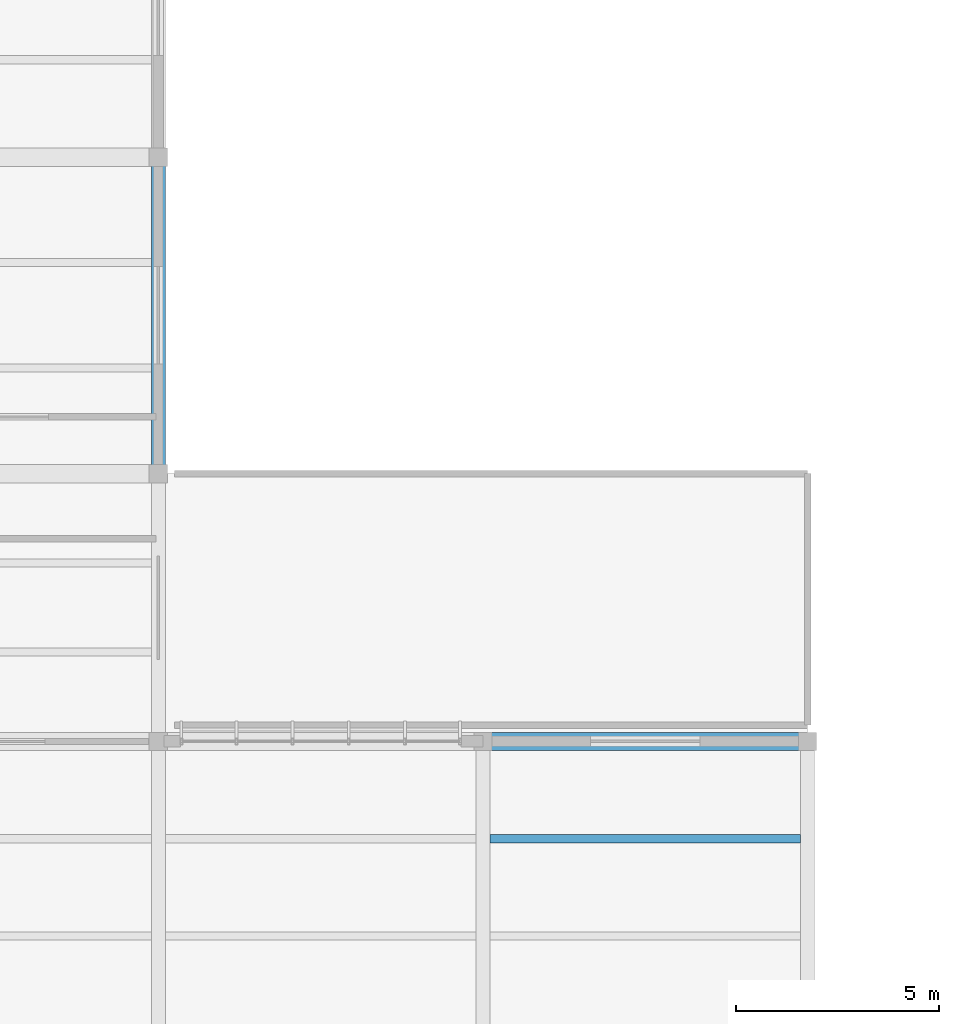
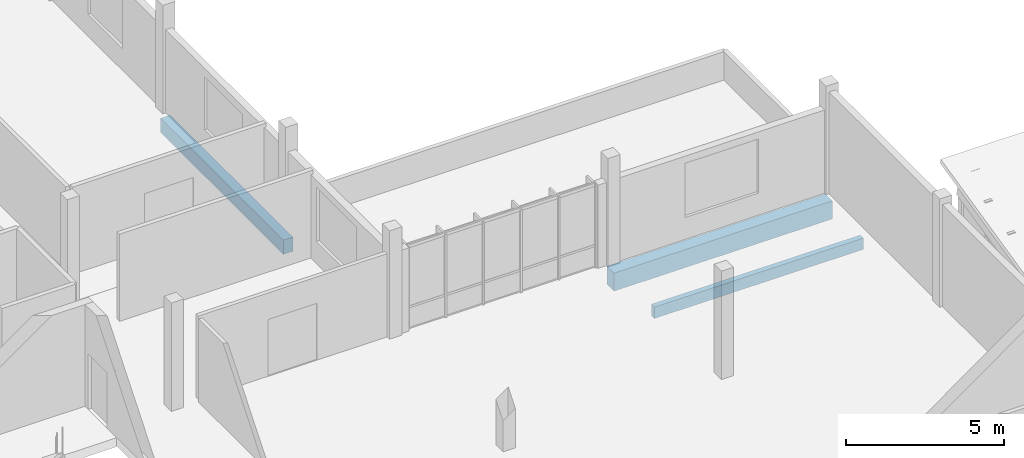
# One storey, part 46 of 182: 3 beams.
"""IFC4 building model written with IfcOpenShell, lengths in metres."""

import ifcopenshell
import ifcopenshell.guid

model = None  # the IFC model being written
_history = None  # IfcOwnerHistory: only IFC2X3 demands one
_inside = {}  # id of a spatial element -> (the spatial element, [elements in it])
_under = {}  # id of a project, library or spatial element -> (it, [spatial elements below it])
_declared = {}  # id of a project -> (the project, [libraries it declares])
_typed = {}  # id of a type object -> (the type object, [elements of that type])
_made_of = {}  # id of a material, layer set ... -> (it, [elements and type objects made of it])


def new_model(schema):
    """Start an empty IFC model of exactly this schema.

    Asked for "IFC4X3", IfcOpenShell would pick the latest addendum, in which some entities
    have other attributes; the version numbers below select the first issue.
    IFC2X3 requires an IfcOwnerHistory on every rooted entity: one is made here for all.
    """
    global model, _history
    if schema == "IFC4X3":
        model = ifcopenshell.file(schema_version=(4, 3, 0, 0))
    else:
        model = ifcopenshell.file(schema=schema)
    _inside.clear()
    _under.clear()
    _declared.clear()
    _typed.clear()
    _made_of.clear()
    _history = None
    if model.schema == "IFC2X3":
        org = make("IfcOrganization", Name="unknown")
        user = make(
            "IfcPersonAndOrganization",
            ThePerson=make("IfcPerson", FamilyName="unknown"),
            TheOrganization=org,
        )
        app = make(
            "IfcApplication",
            ApplicationDeveloper=org,
            Version="unknown",
            ApplicationFullName="unknown",
            ApplicationIdentifier="unknown",
        )
        _history = make(
            "IfcOwnerHistory",
            OwningUser=user,
            OwningApplication=app,
            ChangeAction="ADDED",
            CreationDate=0,
        )
    return model


def make(cls, **values):
    """One entity of the class cls with the attributes given. An attribute that is None is left unset."""
    return model.create_entity(
        cls, **{name: value for name, value in values.items() if value is not None}
    )


def rooted(cls, **values):
    """An entity with a GlobalId (a new one), such as an element, a storey or a relation."""
    return make(cls, GlobalId=ifcopenshell.guid.new(), OwnerHistory=_history, **values)


def si_unit(unit_type, name, prefix=None):
    """IfcSIUnit, for example si_unit("LENGTHUNIT", "METRE", prefix="MILLI")."""
    return make("IfcSIUnit", UnitType=unit_type, Prefix=prefix, Name=name)


def assignment(units):
    """IfcUnitAssignment: the units of a project."""
    return None if units is None else make("IfcUnitAssignment", Units=units)


def point(xyz):
    """IfcCartesianPoint."""
    return None if xyz is None else make("IfcCartesianPoint", Coordinates=xyz)


def direction(xyz):
    """IfcDirection."""
    return None if xyz is None else make("IfcDirection", DirectionRatios=xyz)


def frame(location, z_axis=None, x_axis=None):
    """IfcAxis2Placement3D, a coordinate frame: its origin and axes. An axis left out is left unset."""
    return make(
        "IfcAxis2Placement3D",
        Location=point(location),
        Axis=direction(z_axis),
        RefDirection=direction(x_axis),
    )


def frame_2d(location, x_axis=None):
    """IfcAxis2Placement2D, a coordinate frame in the plane: its origin and x axis."""
    return make(
        "IfcAxis2Placement2D", Location=point(location), RefDirection=direction(x_axis)
    )


def origin():
    """The frame at (0, 0, 0) with its axes left unset."""
    return frame((0.0, 0.0, 0.0))


def origin_2d():
    """The frame at (0, 0) in the plane with its x axis left unset."""
    return frame_2d((0.0, 0.0))


def place(relative_to, where):
    """IfcLocalPlacement: puts the frame where relative to a parent placement (None: the world)."""
    return make(
        "IfcLocalPlacement", PlacementRelTo=relative_to, RelativePlacement=where
    )


def context(
    kind, dimensions, precision=None, world=None, true_north=None, identifier=None
):
    """IfcGeometricRepresentationContext, for example the 3D "Model" context."""
    return make(
        "IfcGeometricRepresentationContext",
        ContextIdentifier=identifier,
        ContextType=kind,
        CoordinateSpaceDimension=dimensions,
        Precision=precision,
        WorldCoordinateSystem=world,
        TrueNorth=true_north,
    )


def subcontext(parent, identifier, kind, view, scale=None):
    """IfcGeometricRepresentationSubContext, for example "Body" below "Model"."""
    return make(
        "IfcGeometricRepresentationSubContext",
        ContextIdentifier=identifier,
        ContextType=kind,
        ParentContext=parent,
        TargetScale=scale,
        TargetView=view,
    )


def project(units=None, contexts=None):
    """IfcProject with its units and contexts."""
    return rooted(
        "IfcProject",
        Name="project",
        RepresentationContexts=contexts,
        UnitsInContext=assignment(units),
    )


def spatial(cls, under=None, at=None, **own):
    """A site, building, storey or space (cls), placed at a placement, below another one or the project."""
    s = rooted(cls, ObjectPlacement=at, **own)
    if under is not None:
        _under.setdefault(under.id(), (under, []))[1].append(s)
    return s


def profile(cls, at=None, kind="AREA", **sizes):
    """A parametric profile (cls). Its sizes go by their IFC names, for example OverallWidth=200.0."""
    return make(cls, ProfileType=kind, Position=at, **sizes)


def rectangle(**sizes):
    """IfcRectangleProfileDef."""
    return profile("IfcRectangleProfileDef", **sizes)


def extrude(swept, where, along, depth):
    """IfcExtrudedAreaSolid: the profile swept, set in the frame where, extruded along a direction by depth."""
    return make(
        "IfcExtrudedAreaSolid",
        SweptArea=swept,
        Position=where,
        ExtrudedDirection=direction(along),
        Depth=depth,
    )


def shape(context_of_items, identifier, shape_type, items):
    """IfcShapeRepresentation: the items that make up one representation, for example the "Body"."""
    return make(
        "IfcShapeRepresentation",
        ContextOfItems=context_of_items,
        RepresentationIdentifier=identifier,
        RepresentationType=shape_type,
        Items=items,
    )


def material(Name=None, Category=None):
    """IfcMaterial."""
    return make("IfcMaterial", Name=Name, Category=Category)


def material_profile(
    of_material, cross_section, Name=None, Category=None, Priority=None
):
    """IfcMaterialProfile: a cross section and its material."""
    return make(
        "IfcMaterialProfile",
        Name=Name,
        Material=of_material,
        Profile=cross_section,
        Priority=Priority,
        Category=Category,
    )


def profile_set(profiles, Name=None, composite=None):
    """IfcMaterialProfileSet."""
    return make(
        "IfcMaterialProfileSet",
        Name=Name,
        MaterialProfiles=profiles,
        CompositeProfile=composite,
    )


def made_of(thing, what):
    """Note that an element or type object is made of a material, layer set ...; save() writes the relation."""
    if what is not None:
        _made_of.setdefault(what.id(), (what, []))[1].append(thing)
    return thing


def type_object(cls, material=None, **own):
    """A type object (cls), such as IfcWallType, which elements share."""
    return made_of(rooted(cls, **own), material)


def element(
    cls,
    number,
    at=None,
    inside=None,
    cuts=None,
    type_object=None,
    material=None,
    context=None,
    identifier="Body",
    shape_type=None,
    held_by="IfcProductDefinitionShape",
    body=None,
    shapes=None,
    **own,
):
    """One element of the class cls, such as IfcWall. Its Tag is "e" and its number.

    at: its placement. inside: the storey or other place that contains it. cuts: it is an
    opening in that element (IfcRelVoidsElement). A single representation is given by context,
    identifier, shape_type and body (its items); several are given by shapes. held_by: the class
    of the entity that holds the representations. save() writes the other relations.
    """
    e = rooted(cls, Tag="e%d" % number, ObjectPlacement=at, **own)
    if body is not None:
        shapes = [shape(context, identifier, shape_type, body)]
    if shapes is not None:
        e.Representation = make(held_by, Representations=shapes)
    if inside is not None:
        _inside.setdefault(inside.id(), (inside, []))[1].append(e)
    if cuts is not None:
        rooted(
            "IfcRelVoidsElement", RelatingBuildingElement=cuts, RelatedOpeningElement=e
        )
    if type_object is not None:
        _typed.setdefault(type_object.id(), (type_object, []))[1].append(e)
    return made_of(e, material)


def aggregate(whole, parts):
    """IfcRelAggregates: a whole, such as a stair, and the parts it consists of."""
    return rooted("IfcRelAggregates", RelatingObject=whole, RelatedObjects=parts)


def save(model, path):
    """Write the relations noted so far, then the file.

    IfcRelAggregates (storeys below a building ...), IfcRelContainedInSpatialStructure (elements
    in a storey), IfcRelDefinesByType, IfcRelAssociatesMaterial and IfcRelDeclares: one each for
    every whole, place, type object, material and project.
    """
    for whole, parts in _under.values():
        aggregate(whole, parts)
    for where, things in _inside.values():
        rooted(
            "IfcRelContainedInSpatialStructure",
            RelatedElements=things,
            RelatingStructure=where,
        )
    for kind, things in _typed.values():
        rooted("IfcRelDefinesByType", RelatedObjects=things, RelatingType=kind)
    for what, things in _made_of.values():
        rooted("IfcRelAssociatesMaterial", RelatedObjects=things, RelatingMaterial=what)
    for by, libraries in _declared.values():
        rooted("IfcRelDeclares", RelatingContext=by, RelatedDefinitions=libraries)
    model.write(path)


model = new_model("IFC4")

# Units and contexts
model_context = context("Model", 3, precision=1e-05, world=origin(), true_north=direction((0.0, 1.0)))
body_context = subcontext(model_context, "Body", "Model", "MODEL_VIEW")
ifc_project = project(units=[si_unit("LENGTHUNIT", "METRE"), si_unit("AREAUNIT", "SQUARE_METRE"), si_unit("VOLUMEUNIT", "CUBIC_METRE"), si_unit("PLANEANGLEUNIT", "RADIAN"), si_unit("MASSUNIT", "GRAM", prefix="KILO")], contexts=[model_context])

# Site, building, storey
site_placement = place(None, origin())
site = spatial("IfcSite", under=ifc_project, at=site_placement, CompositionType="ELEMENT")
building_placement = place(site_placement, origin())
building = spatial("IfcBuilding", under=site, at=building_placement, Name="Chiffa Square Polytechnic", CompositionType="ELEMENT")
storey_placement = place(building_placement, frame((0.0, 0.0, 9.60009765625)))
storey = spatial("IfcBuildingStorey", under=building, at=storey_placement, Name="L02", CompositionType="ELEMENT", Elevation=9.60009765625)

# Beams
ifc_material_1 = material(Name="Concrete C35/45", Category="concrete")
ifc_material_profile_1 = material_profile(ifc_material_1, rectangle(XDim=0.35009765625, YDim=0.550048828125, at=origin_2d()), Name="RC 350x550")
ifc_profile_set_1 = profile_set([ifc_material_profile_1], Name="Concrete C35/45")
beam_type_1 = type_object("IfcBeamType", Name="BM-RC-350X550", PredefinedType="BEAM", material=ifc_profile_set_1)
beam_1_placement = place(storey_placement, frame((32.0, 57.60009765625, -0.59521484375), z_axis=(0.0, 1.0, 0.0), x_axis=(-1.0, 0.0, 0.0)))
element("IfcBeam", 1, at=beam_1_placement, inside=storey, type_object=beam_type_1, Name="Primary floor girder BM-V6-L02-Y-0320-0576", PredefinedType="BEAM", context=body_context, shape_type="SweptSolid", body=[
    extrude(rectangle(XDim=0.35009765625, YDim=0.550048828125, at=origin_2d()), origin(), (0.0, 0.0, 1.0), 7.7998046875),
])
ifc_material_profile_2 = material_profile(ifc_material_1, rectangle(XDim=0.449951171875, YDim=0.699951171875, at=origin_2d()), Name="RC 450x700")
ifc_profile_set_2 = profile_set([ifc_material_profile_2], Name="Concrete C35/45")
beam_type_2 = type_object("IfcBeamType", Name="BM-RC-450X700", PredefinedType="BEAM", material=ifc_profile_set_2)
beam_2_placement = place(storey_placement, frame((40.0, 51.0, -0.670166015625), z_axis=(1.0, 0.0, 0.0), x_axis=(0.0, 1.0, 0.0)))
element("IfcBeam", 2, at=beam_2_placement, inside=storey, type_object=beam_type_2, Name="Primary floor girder BM-V6-L02-X-0400-0510", PredefinedType="BEAM", context=body_context, shape_type="SweptSolid", body=[
    extrude(rectangle(XDim=0.449951171875, YDim=0.699951171875, at=origin_2d()), origin(), (0.0, 0.0, 1.0), 8.0),
])
ifc_material_2 = material(Name="Glulam GL28h", Category="wood")
ifc_material_profile_3 = material_profile(ifc_material_2, rectangle(XDim=0.199951171875, YDim=0.43994140625, at=origin_2d()), Name="GL28h 200x440")
ifc_profile_set_3 = profile_set([ifc_material_profile_3], Name="Glulam GL28h")
beam_type_3 = type_object("IfcBeamType", Name="JST-GL-200X440", PredefinedType="JOIST", material=ifc_profile_set_3)
beam_3_placement = place(storey_placement, frame((40.173095703125, 48.60009765625, -0.5400390625), z_axis=(1.0, 0.0, 0.0), x_axis=(0.0, 1.0, 0.0)))
element("IfcBeam", 3, at=beam_3_placement, inside=storey, type_object=beam_type_3, Name="Secondary floor joist JST-V6-L02-0400-0486", PredefinedType="JOIST", context=body_context, shape_type="SweptSolid", body=[
    extrude(rectangle(XDim=0.199951171875, YDim=0.43994140625, at=origin_2d()), origin(), (0.0, 0.0, 1.0), 7.65380859375),
])

save(model, "model.ifc")
